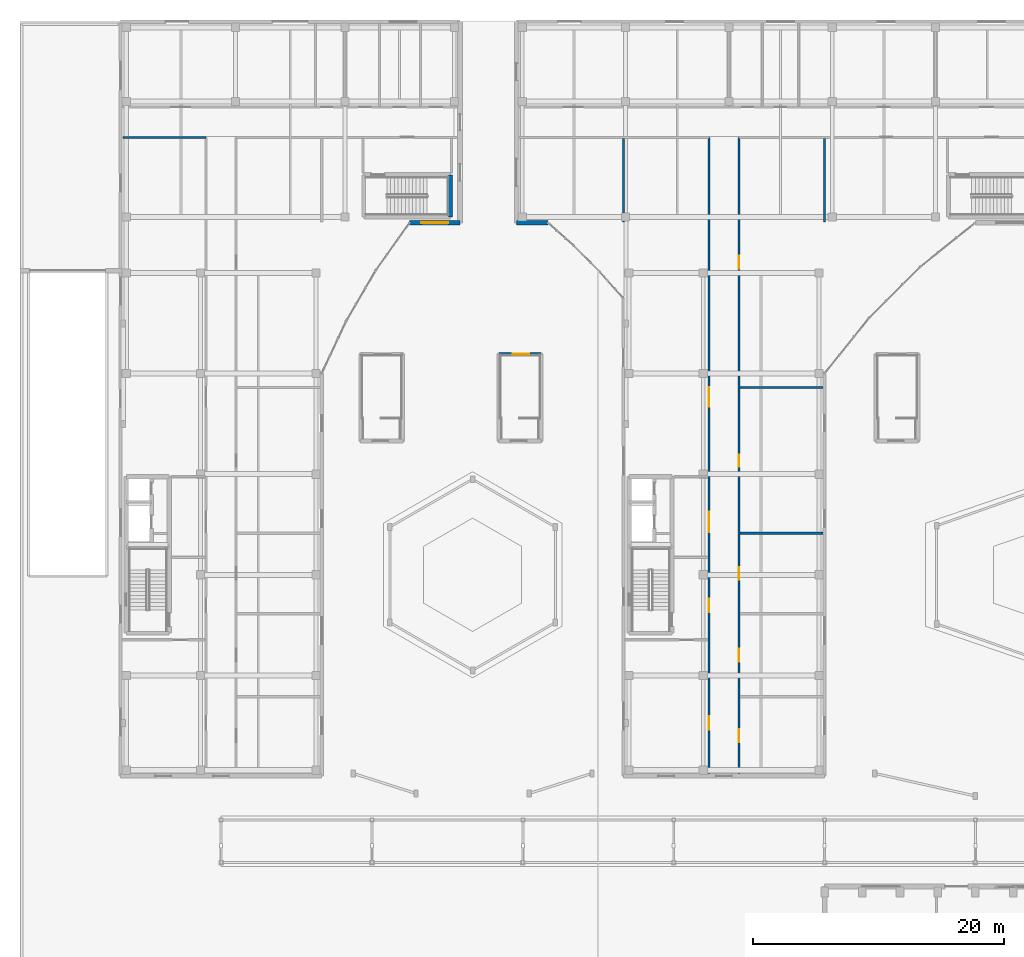
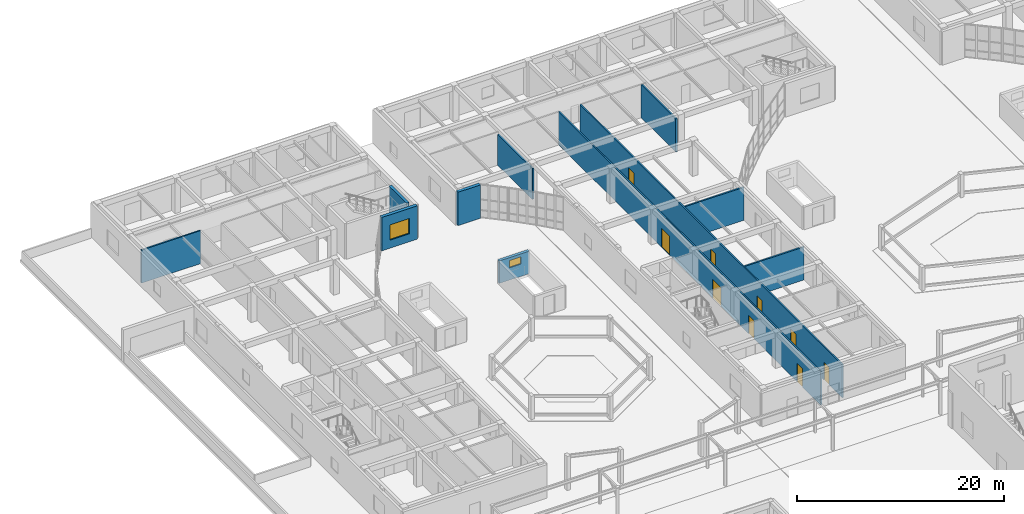
# One storey, part 81 of 114: 11 walls, 9 doors, 2 windows, 11 openings.
"""IFC4 building model written with IfcOpenShell, lengths in metres."""

from ifc_helpers import new_model, si_unit, direction, frame, frame_2d, origin, place, context, subcontext, project, spatial, rectangle, extrude, material, layer, layer_set, type_object, element, fill, save


model = new_model("IFC4")

# Units and contexts
model_context = context("Model", 3, precision=1e-05, world=origin(), true_north=direction((0.0, 1.0)))
body_context = subcontext(model_context, "Body", "Model", "MODEL_VIEW")
ifc_project = project(units=[si_unit("LENGTHUNIT", "METRE"), si_unit("AREAUNIT", "SQUARE_METRE"), si_unit("VOLUMEUNIT", "CUBIC_METRE"), si_unit("PLANEANGLEUNIT", "RADIAN"), si_unit("MASSUNIT", "GRAM", prefix="KILO")], contexts=[model_context])

# Site, building, storey
site_placement = place(None, origin())
site = spatial("IfcSite", under=ifc_project, at=site_placement, CompositionType="ELEMENT")
building_placement = place(site_placement, origin())
building = spatial("IfcBuilding", under=site, at=building_placement, Name="Keldmere Railside Commons", CompositionType="ELEMENT")
storey_placement = place(building_placement, origin())
storey = spatial("IfcBuildingStorey", under=building, at=storey_placement, Name="L00", CompositionType="ELEMENT", Elevation=0.0)

# Walls
ifc_material_1 = material(Name="Acoustic Gypsum Board Partition", Category="gypsum")
ifc_layer_1 = layer(ifc_material_1, 0.179931640625, Name="Acoustic Demising Partition 180")
ifc_layer_set_1 = layer_set([ifc_layer_1], Name="Acoustic Gypsum Board Partition")
wall_type_1 = type_object("IfcWallType", Name="Acoustic Demising Partition 180", PredefinedType="PARTITIONING", material=ifc_layer_set_1)
wall_1_placement = place(storey_placement, frame((64.0, 100.050048828125, 0.0), z_axis=(0.0, 0.0, 1.0), x_axis=(0.0, 1.0, 0.0)))
element("IfcWall", 1, at=wall_1_placement, inside=storey, type_object=wall_type_1, Name="IW-1 IW-L00-0491", PredefinedType="PARTITIONING", context=body_context, shape_type="SweptSolid", body=[
    extrude(rectangle(XDim=6.669921875, YDim=0.179931640625, at=frame_2d((3.3349609375, 0.0))), origin(), (0.0, 0.0, 1.0), 3.89501953125),
])
wall_2_placement = place(storey_placement, frame((48.0, 100.050048828125, 0.0), z_axis=(0.0, 0.0, 1.0), x_axis=(0.0, 1.0, 0.0)))
element("IfcWall", 2, at=wall_2_placement, inside=storey, type_object=wall_type_1, Name="IW-1 IW-L00-0492", PredefinedType="PARTITIONING", context=body_context, shape_type="SweptSolid", body=[
    extrude(rectangle(XDim=6.669921875, YDim=0.179931640625, at=frame_2d((3.3349609375, 0.0))), origin(), (0.0, 0.0, 1.0), 3.639892578125),
])
for number, where, z_axis, x_axis, name in (
    (3, (57.280029296875, 75.300048828125, 0.0), (0.0, 0.0, 1.0), (1.0, 0.0, 0.0), "IW-1 IW-L00-0497"),
    (4, (57.280029296875, 86.89990234375, 0.0), (0.0, 0.0, 1.0), (1.0, 0.0, 0.0), "IW-1 IW-L00-0498"),
):
    element("IfcWall", number, at=place(storey_placement, frame(where, z_axis=z_axis, x_axis=x_axis)), inside=storey, type_object=wall_type_1, Name=name, PredefinedType="PARTITIONING", context=body_context, shape_type="SweptSolid", body=[
        extrude(rectangle(XDim=6.599853515625, YDim=0.179931640625, at=frame_2d((3.2998046875, 0.0))), origin(), (0.0, 0.0, 1.0), 3.89501953125),
    ])
ifc_layer_2 = layer(ifc_material_1, 0.159912109375, Name="Corridor Fire Partition 160")
ifc_layer_set_2 = layer_set([ifc_layer_2], Name="Acoustic Gypsum Board Partition")
wall_type_2 = type_object("IfcWallType", Name="Corridor Fire Partition 160", PredefinedType="PARTITIONING", material=ifc_layer_set_2)
wall_3_placement = place(storey_placement, frame((8.179931640625, 106.800048828125, 0.0), z_axis=(0.0, 0.0, 1.0), x_axis=(1.0, 0.0, 0.0)))
element("IfcWall", 5, at=wall_3_placement, inside=storey, type_object=wall_type_2, Name="IW-2 IW-L00-0185", PredefinedType="PARTITIONING", context=body_context, shape_type="SweptSolid", body=[
    extrude(rectangle(XDim=6.6201171875, YDim=0.159912109375, at=frame_2d((3.31005859375, 0.0))), origin(), (0.0, 0.0, 1.0), 3.89501953125),
])

# Wall, openings, doors
wall_4_placement = place(storey_placement, frame((54.800048828125, 56.179931640625, 0.0), z_axis=(0.0, 0.0, 1.0), x_axis=(0.0, 1.0, 0.0)))
wall_4 = element("IfcWall", 6, at=wall_4_placement, inside=storey, type_object=wall_type_2, Name="IW-2 IW-L00-0486", PredefinedType="PARTITIONING", context=body_context, shape_type="SweptSolid", body=[
    extrude(rectangle(XDim=50.6201171875, YDim=0.159912109375, at=frame_2d((25.31005859375, 0.0))), origin(), (0.0, 0.0, 1.0), 3.89501953125),
])
opening_1_placement = place(wall_4_placement, frame((12.820068359375, 0.0, 0.0)))
opening_1 = element("IfcOpeningElement", 7, at=opening_1_placement, cuts=wall_4, Name="Opening FD-2", PredefinedType="OPENING", context=body_context, shape_type="SweptSolid", body=[
    extrude(rectangle(XDim=1.10009765625, YDim=2.14990234375, at=frame_2d((0.550048828125, 1.074951171875))), frame((0.0, 0.08984375, 0.0), z_axis=(0.0, -1.0, 0.0), x_axis=(1.0, 0.0, 0.0)), (0.0, 0.0, 1.0), 0.179931640625),
])
opening_2_placement = place(wall_4_placement, frame((19.219970703125, 0.0, 0.0)))
opening_2 = element("IfcOpeningElement", 8, at=opening_2_placement, cuts=wall_4, Name="Opening FD-4", PredefinedType="OPENING", context=body_context, shape_type="SweptSolid", body=[
    extrude(rectangle(XDim=1.60009765625, YDim=2.14990234375, at=frame_2d((0.800048828125, 1.074951171875))), frame((0.0, 0.08984375, 0.0), z_axis=(0.0, -1.0, 0.0), x_axis=(1.0, 0.0, 0.0)), (0.0, 0.0, 1.0), 0.179931640625),
])
opening_3_placement = place(wall_4_placement, frame((3.5, 0.0, 0.0)))
opening_3 = element("IfcOpeningElement", 9, at=opening_3_placement, cuts=wall_4, Name="Opening FD-1", PredefinedType="OPENING", context=body_context, shape_type="SweptSolid", body=[
    extrude(rectangle(XDim=1.050048828125, YDim=2.14990234375, at=frame_2d((0.52490234375, 1.074951171875))), frame((0.0, 0.08984375, 0.0), z_axis=(0.0, -1.0, 0.0), x_axis=(1.0, 0.0, 0.0)), (0.0, 0.0, 1.0), 0.179931640625),
])
opening_4_placement = place(wall_4_placement, frame((29.199951171875, 0.0, 0.0)))
opening_4 = element("IfcOpeningElement", 10, at=opening_4_placement, cuts=wall_4, Name="Opening ID-16", PredefinedType="OPENING", context=body_context, shape_type="SweptSolid", body=[
    extrude(rectangle(XDim=1.550048828125, YDim=2.199951171875, at=frame_2d((0.77490234375, 1.10009765625))), frame((0.0, 0.08984375, 0.0), z_axis=(0.0, -1.0, 0.0), x_axis=(1.0, 0.0, 0.0)), (0.0, 0.0, 1.0), 0.179931640625),
])
ifc_material_2 = material(Name="Steel F-24 (S235)", Category="steel")
door_type_1 = type_object("IfcDoorType", Name="Bicycle Hub Double Swing Door 1550x2200", OperationType="DOUBLE_DOOR_SINGLE_SWING", PredefinedType="DOOR", material=ifc_material_2)
door_1_placement = place(opening_4_placement, origin())
door_1 = element("IfcDoor", 11, at=door_1_placement, inside=storey, type_object=door_type_1, Name="ID-16 IDR-L00-0396", OperationType="DOUBLE_DOOR_SINGLE_SWING", OverallHeight=2.199951171875, OverallWidth=1.550048828125, PredefinedType="DOOR", context=body_context, shape_type="SweptSolid", body=[
    extrude(rectangle(XDim=1.550048828125, YDim=2.199951171875, at=frame_2d((0.77490234375, 1.10009765625))), frame((0.0, 0.02490234375, 0.0), z_axis=(0.0, -1.0, 0.0), x_axis=(1.0, 0.0, 0.0)), (0.0, 0.0, 1.0), 0.050048828125),
])
fill(opening_4, door_1)
door_type_2 = type_object("IfcDoorType", Name="Corridor Cross-Compartment Double Fire Door 1600x2150", OperationType="DOUBLE_DOOR_SINGLE_SWING", PredefinedType="DOOR", material=ifc_material_2)
door_2_placement = place(opening_2_placement, origin())
door_2 = element("IfcDoor", 12, at=door_2_placement, inside=storey, type_object=door_type_2, Name="FD-4 IDR-L00-0388", OperationType="DOUBLE_DOOR_SINGLE_SWING", OverallHeight=2.14990234375, OverallWidth=1.60009765625, PredefinedType="DOOR", context=body_context, shape_type="SweptSolid", body=[
    extrude(rectangle(XDim=1.60009765625, YDim=2.14990234375, at=frame_2d((0.800048828125, 1.074951171875))), frame((0.0, 0.02490234375, 0.0), z_axis=(0.0, -1.0, 0.0), x_axis=(1.0, 0.0, 0.0)), (0.0, 0.0, 1.0), 0.050048828125),
])
fill(opening_2, door_2)
door_type_3 = type_object("IfcDoorType", Name="Firefighting Lobby Fire Door 1100x2150", OperationType="NOTDEFINED", PredefinedType="DOOR", material=ifc_material_2)
door_3_placement = place(opening_1_placement, origin())
door_3 = element("IfcDoor", 13, at=door_3_placement, inside=storey, type_object=door_type_3, Name="FD-2 IDR-L00-0387", OperationType="SINGLE_SWING_LEFT", OverallHeight=2.14990234375, OverallWidth=1.10009765625, PredefinedType="DOOR", context=body_context, shape_type="SweptSolid", body=[
    extrude(rectangle(XDim=1.10009765625, YDim=2.14990234375, at=frame_2d((0.550048828125, 1.074951171875))), frame((0.0, 0.02490234375, 0.0), z_axis=(0.0, -1.0, 0.0), x_axis=(1.0, 0.0, 0.0)), (0.0, 0.0, 1.0), 0.050048828125),
])
fill(opening_1, door_3)
door_type_4 = type_object("IfcDoorType", Name="Stair Core Fire Door 1050x2150", OperationType="NOTDEFINED", PredefinedType="DOOR", material=ifc_material_2)
door_4_placement = place(opening_3_placement, origin())
door_4 = element("IfcDoor", 14, at=door_4_placement, inside=storey, type_object=door_type_4, Name="FD-1 IDR-L00-0390", OperationType="SINGLE_SWING_RIGHT", OverallHeight=2.14990234375, OverallWidth=1.050048828125, PredefinedType="DOOR", context=body_context, shape_type="SweptSolid", body=[
    extrude(rectangle(XDim=1.050048828125, YDim=2.14990234375, at=frame_2d((0.52490234375, 1.074951171875))), frame((0.0, 0.02490234375, 0.0), z_axis=(0.0, -1.0, 0.0), x_axis=(1.0, 0.0, 0.0)), (0.0, 0.0, 1.0), 0.050048828125),
])
fill(opening_3, door_4)

wall_5_placement = place(storey_placement, frame((57.199951171875, 56.179931640625, 0.0), z_axis=(0.0, 0.0, 1.0), x_axis=(0.0, 1.0, 0.0)))
wall_5 = element("IfcWall", 15, at=wall_5_placement, inside=storey, type_object=wall_type_2, Name="IW-2 IW-L00-0487", PredefinedType="PARTITIONING", context=body_context, shape_type="SweptSolid", body=[
    extrude(rectangle(XDim=50.6201171875, YDim=0.159912109375, at=frame_2d((25.31005859375, 0.0))), origin(), (0.0, 0.0, 1.0), 3.89501953125),
])
opening_5_placement = place(wall_5_placement, frame((2.514892578125, 0.0, 0.0)))
opening_5 = element("IfcOpeningElement", 16, at=opening_5_placement, cuts=wall_5, Name="Opening FD-9", PredefinedType="OPENING", context=body_context, shape_type="SweptSolid", body=[
    extrude(rectangle(XDim=1.0, YDim=2.10009765625, at=frame_2d((0.5, 1.050048828125))), frame((0.0, 0.08984375, 0.0), z_axis=(0.0, -1.0, 0.0), x_axis=(1.0, 0.0, 0.0)), (0.0, 0.0, 1.0), 0.179931640625),
])
opening_6_placement = place(wall_5_placement, frame((8.919921875, 0.0, 0.0)))
opening_6 = element("IfcOpeningElement", 17, at=opening_6_placement, cuts=wall_5, Name="Opening FD-9", PredefinedType="OPENING", context=body_context, shape_type="SweptSolid", body=[
    extrude(rectangle(XDim=1.0, YDim=2.10009765625, at=frame_2d((0.5, 1.050048828125))), frame((0.0, 0.08984375, 0.0), z_axis=(0.0, -1.0, 0.0), x_axis=(1.0, 0.0, 0.0)), (0.0, 0.0, 1.0), 0.179931640625),
])
opening_7_placement = place(wall_5_placement, frame((15.419921875, 0.0, 0.0)))
opening_7 = element("IfcOpeningElement", 18, at=opening_7_placement, cuts=wall_5, Name="Opening FD-9", PredefinedType="OPENING", context=body_context, shape_type="SweptSolid", body=[
    extrude(rectangle(XDim=1.0, YDim=2.10009765625, at=frame_2d((0.5, 1.050048828125))), frame((0.0, 0.08984375, 0.0), z_axis=(0.0, -1.0, 0.0), x_axis=(1.0, 0.0, 0.0)), (0.0, 0.0, 1.0), 0.179931640625),
])
opening_8_placement = place(wall_5_placement, frame((24.419921875, 0.0, 0.0)))
opening_8 = element("IfcOpeningElement", 19, at=opening_8_placement, cuts=wall_5, Name="Opening ID-08", PredefinedType="OPENING", context=body_context, shape_type="SweptSolid", body=[
    extrude(rectangle(XDim=0.9599609375, YDim=2.14990234375, at=frame_2d((0.47998046875, 1.074951171875))), frame((0.0, 0.08984375, 0.0), z_axis=(0.0, -1.0, 0.0), x_axis=(1.0, 0.0, 0.0)), (0.0, 0.0, 1.0), 0.179931640625),
])
opening_9_placement = place(wall_5_placement, frame((40.175048828125, 0.0, 0.0)))
opening_9 = element("IfcOpeningElement", 20, at=opening_9_placement, cuts=wall_5, Name="Opening ID-14", PredefinedType="OPENING", context=body_context, shape_type="SweptSolid", body=[
    extrude(rectangle(XDim=1.0400390625, YDim=2.14990234375, at=frame_2d((0.52001953125, 1.074951171875))), frame((0.0, 0.08984375, 0.0), z_axis=(0.0, -1.0, 0.0), x_axis=(1.0, 0.0, 0.0)), (0.0, 0.0, 1.0), 0.179931640625),
])
door_type_5 = type_object("IfcDoorType", Name="Market Shop Back-of-House Door 1040x2150", OperationType="NOTDEFINED", PredefinedType="DOOR", material=ifc_material_2)
door_5_placement = place(opening_9_placement, origin())
door_5 = element("IfcDoor", 21, at=door_5_placement, inside=storey, type_object=door_type_5, Name="ID-14 IDR-L00-0395", OperationType="SINGLE_SWING_LEFT", OverallHeight=2.14990234375, OverallWidth=1.0400390625, PredefinedType="DOOR", context=body_context, shape_type="SweptSolid", body=[
    extrude(rectangle(XDim=1.0400390625, YDim=2.14990234375, at=frame_2d((0.52001953125, 1.074951171875))), frame((0.0, 0.02490234375, 0.0), z_axis=(0.0, -1.0, 0.0), x_axis=(1.0, 0.0, 0.0)), (0.0, 0.0, 1.0), 0.050048828125),
])
fill(opening_9, door_5)
ifc_material_3 = material(Name="Engineered Oak Timber", Category="wood")
door_type_6 = type_object("IfcDoorType", Name="Study & Meeting Room Door 960x2150", OperationType="NOTDEFINED", PredefinedType="DOOR", material=ifc_material_3)
door_6_placement = place(opening_8_placement, origin())
door_6 = element("IfcDoor", 22, at=door_6_placement, inside=storey, type_object=door_type_6, Name="ID-08 IDR-L00-0394", OperationType="SINGLE_SWING_RIGHT", OverallHeight=2.14990234375, OverallWidth=0.9599609375, PredefinedType="DOOR", context=body_context, shape_type="SweptSolid", body=[
    extrude(rectangle(XDim=0.9599609375, YDim=2.14990234375, at=frame_2d((0.47998046875, 1.074951171875))), frame((0.0, 0.02490234375, 0.0), z_axis=(0.0, -1.0, 0.0), x_axis=(1.0, 0.0, 0.0)), (0.0, 0.0, 1.0), 0.050048828125),
])
fill(opening_8, door_6)
door_type_7 = type_object("IfcDoorType", Name="Waste & Storage Fire Door 1000x2100", OperationType="NOTDEFINED", PredefinedType="DOOR", material=ifc_material_2)
door_7_placement = place(opening_5_placement, origin())
door_7 = element("IfcDoor", 23, at=door_7_placement, inside=storey, type_object=door_type_7, Name="FD-9 IDR-L00-0391", OperationType="SINGLE_SWING_LEFT", OverallHeight=2.10009765625, OverallWidth=1.0, PredefinedType="DOOR", context=body_context, shape_type="SweptSolid", body=[
    extrude(rectangle(XDim=1.0, YDim=2.10009765625, at=frame_2d((0.5, 1.050048828125))), frame((0.0, 0.02490234375, 0.0), z_axis=(0.0, -1.0, 0.0), x_axis=(1.0, 0.0, 0.0)), (0.0, 0.0, 1.0), 0.050048828125),
])
fill(opening_5, door_7)
door_8_placement = place(opening_6_placement, origin())
door_8 = element("IfcDoor", 24, at=door_8_placement, inside=storey, type_object=door_type_7, Name="FD-9 IDR-L00-0392", OperationType="SINGLE_SWING_RIGHT", OverallHeight=2.10009765625, OverallWidth=1.0, PredefinedType="DOOR", context=body_context, shape_type="SweptSolid", body=[
    extrude(rectangle(XDim=1.0, YDim=2.10009765625, at=frame_2d((0.5, 1.050048828125))), frame((0.0, 0.02490234375, 0.0), z_axis=(0.0, -1.0, 0.0), x_axis=(1.0, 0.0, 0.0)), (0.0, 0.0, 1.0), 0.050048828125),
])
fill(opening_6, door_8)
door_9_placement = place(opening_7_placement, origin())
door_9 = element("IfcDoor", 25, at=door_9_placement, inside=storey, type_object=door_type_7, Name="FD-9 IDR-L00-0393", OperationType="SINGLE_SWING_LEFT", OverallHeight=2.10009765625, OverallWidth=1.0, PredefinedType="DOOR", context=body_context, shape_type="SweptSolid", body=[
    extrude(rectangle(XDim=1.0, YDim=2.10009765625, at=frame_2d((0.5, 1.050048828125))), frame((0.0, 0.02490234375, 0.0), z_axis=(0.0, -1.0, 0.0), x_axis=(1.0, 0.0, 0.0)), (0.0, 0.0, 1.0), 0.050048828125),
])
fill(opening_7, door_9)

# Wall, opening, window
ifc_material_4 = material(Name="Concrete H-35 (C35/45)", Category="concrete")
ifc_layer_3 = layer(ifc_material_4, 0.360107421875, Name="Exterior Shear Wall 360")
ifc_layer_set_3 = layer_set([ifc_layer_3], Name="Concrete H-35 (C35/45)")
wall_type_3 = type_object("IfcWallType", Name="Exterior Shear Wall 360", PredefinedType="SHEAR", material=ifc_layer_set_3)
wall_6_placement = place(storey_placement, frame((35.0, 100.0, 0.0), z_axis=(0.0, 0.0, 1.0), x_axis=(-1.0, 0.0, 0.0)))
wall_6 = element("IfcWall", 26, at=wall_6_placement, inside=storey, type_object=wall_type_3, Name="ESW-1 EXTD-L00-0125", PredefinedType="SHEAR", context=body_context, shape_type="SweptSolid", body=[
    extrude(rectangle(XDim=4.0, YDim=0.360107421875, at=frame_2d((2.0, 0.0))), origin(), (0.0, 0.0, 1.0), 3.93994140625),
])
opening_10_placement = place(wall_6_placement, frame((0.925048828125, 0.0, 0.949951171875)))
opening_10 = element("IfcOpeningElement", 27, at=opening_10_placement, cuts=wall_6, Name="Opening WN-41", PredefinedType="OPENING", context=body_context, shape_type="SweptSolid", body=[
    extrude(rectangle(XDim=2.14990234375, YDim=1.800048828125, at=frame_2d((1.074951171875, 0.89990234375))), frame((0.0, 0.18994140625, 0.0), z_axis=(0.0, -1.0, 0.0), x_axis=(1.0, 0.0, 0.0)), (0.0, 0.0, 1.0), 0.380126953125),
])
ifc_material_5 = material(Name="Low-E Insulated Double Glazing", Category="glass")
window_type_1 = type_object("IfcWindowType", Name="North Plinth Gallery Window 2150x1800", PartitioningType="SINGLE_PANEL", PredefinedType="WINDOW", material=ifc_material_5)
window_1_placement = place(opening_10_placement, origin())
window_1 = element("IfcWindow", 28, at=window_1_placement, inside=storey, type_object=window_type_1, Name="WN-41 WIN-L00-0018", OverallHeight=1.800048828125, OverallWidth=2.14990234375, PartitioningType="SINGLE_PANEL", PredefinedType="WINDOW", context=body_context, shape_type="SweptSolid", body=[
    extrude(rectangle(XDim=2.14990234375, YDim=1.800048828125, at=frame_2d((1.074951171875, 0.89990234375))), frame((0.0, 0.030029296875, 0.0), z_axis=(0.0, -1.0, 0.0), x_axis=(1.0, 0.0, 0.0)), (0.0, 0.0, 1.0), 0.06005859375),
])
fill(opening_10, window_1)

# Wall
wall_7_placement = place(storey_placement, frame((42.0, 100.0, 0.0), z_axis=(0.0, 0.0, 1.0), x_axis=(-1.0, 0.0, 0.0)))
element("IfcWall", 29, at=wall_7_placement, inside=storey, type_object=wall_type_3, Name="ESW-1 EXTC-L00-0324", PredefinedType="SHEAR", context=body_context, shape_type="SweptSolid", body=[
    extrude(rectangle(XDim=2.5, YDim=0.360107421875, at=frame_2d((1.25, 0.0))), origin(), (0.0, 0.0, 1.0), 3.93994140625),
])

# Wall, opening, window
ifc_layer_4 = layer(ifc_material_4, 0.300048828125, Name="Interior Shear Wall 300")
ifc_layer_set_4 = layer_set([ifc_layer_4], Name="Concrete H-35 (C35/45)")
wall_type_4 = type_object("IfcWallType", Name="Interior Shear Wall 300", PredefinedType="SHEAR", material=ifc_layer_set_4)
wall_8_placement = place(storey_placement, frame((38.10009765625, 89.550048828125, 0.0), z_axis=(0.0, 0.0, 1.0), x_axis=(1.0, 0.0, 0.0)))
wall_8 = element("IfcWall", 30, at=wall_8_placement, inside=storey, type_object=wall_type_4, Name="ISW-2 WAL-ST-B2-L00-N", PredefinedType="SHEAR", context=body_context, shape_type="SweptSolid", body=[
    extrude(rectangle(XDim=3.349853515625, YDim=0.300048828125, at=frame_2d((1.6748046875, 0.0))), origin(), (0.0, 0.0, 1.0), 2.64990234375),
])
opening_11_placement = place(wall_8_placement, frame((1.10009765625, 0.0, 1.449951171875)))
opening_11 = element("IfcOpeningElement", 31, at=opening_11_placement, cuts=wall_8, Name="Opening WN-37", PredefinedType="OPENING", context=body_context, shape_type="SweptSolid", body=[
    extrude(rectangle(XDim=1.300048828125, YDim=0.85009765625, at=frame_2d((0.64990234375, 0.425048828125))), frame((0.0, 0.159912109375, 0.0), z_axis=(0.0, -1.0, 0.0), x_axis=(1.0, 0.0, 0.0)), (0.0, 0.0, 1.0), 0.320068359375),
])
window_type_2 = type_object("IfcWindowType", Name="Headhouse Louvre-Glazed Clerestory 1300x850", PartitioningType="SINGLE_PANEL", PredefinedType="WINDOW", material=ifc_material_5)
window_2_placement = place(opening_11_placement, origin())
window_2 = element("IfcWindow", 32, at=window_2_placement, inside=storey, type_object=window_type_2, Name="WN-37 WIN-L00-0002", OverallHeight=0.85009765625, OverallWidth=1.300048828125, PartitioningType="SINGLE_PANEL", PredefinedType="WINDOW", context=body_context, shape_type="SweptSolid", body=[
    extrude(rectangle(XDim=1.300048828125, YDim=0.85009765625, at=frame_2d((0.64990234375, 0.425048828125))), frame((0.0, 0.030029296875, 0.0), z_axis=(0.0, -1.0, 0.0), x_axis=(1.0, 0.0, 0.0)), (0.0, 0.0, 1.0), 0.06005859375),
])
fill(opening_11, window_2)

# Wall
wall_9_placement = place(storey_placement, frame((34.25, 100.449951171875, 0.0), z_axis=(0.0, 0.0, 1.0), x_axis=(0.0, 1.0, 0.0)))
element("IfcWall", 33, at=wall_9_placement, inside=storey, type_object=wall_type_4, Name="ISW-2 CORED2E-L00-0038", PredefinedType="SHEAR", context=body_context, shape_type="SweptSolid", body=[
    extrude(rectangle(XDim=3.3701171875, YDim=0.300048828125, at=frame_2d((1.68505859375, 0.0))), origin(), (0.0, 0.0, 1.0), 4.159912109375),
])

save(model, "model.ifc")
